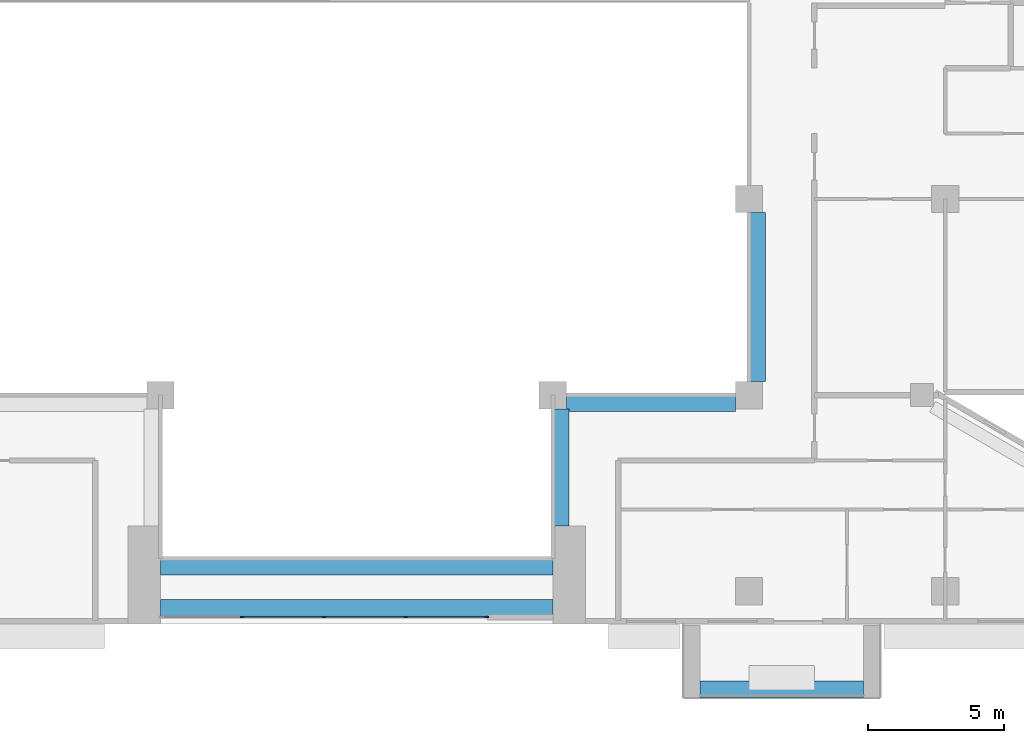
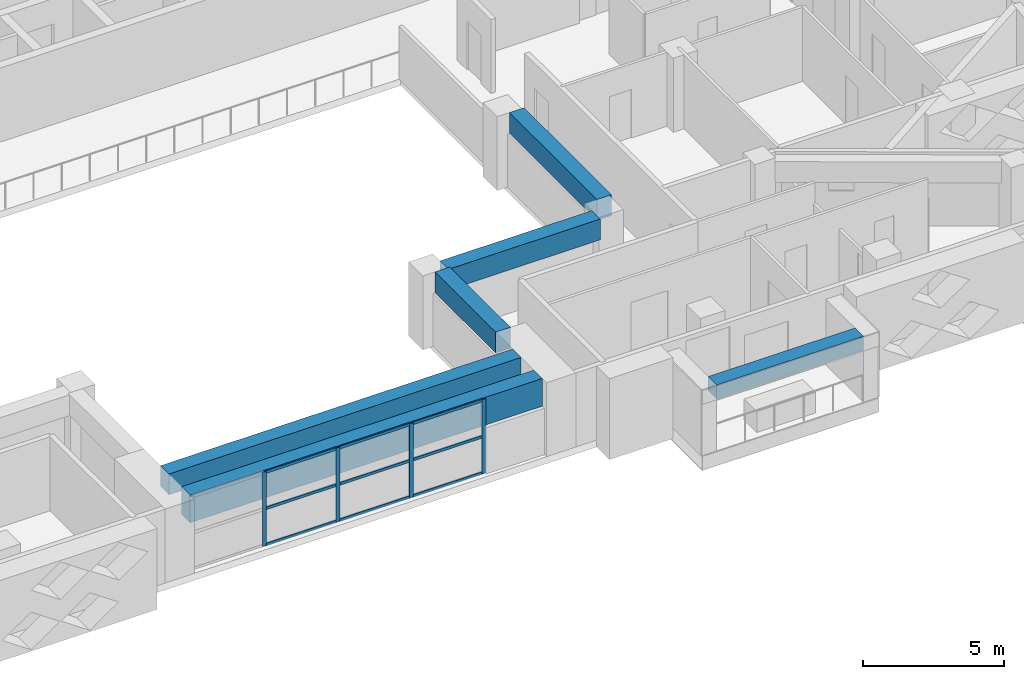
# One storey, part 4 of 20: 13 members, 6 beams, 1 element without a shape of its own.
"""IFC4 building model written with IfcOpenShell, lengths in metres."""

import ifcopenshell
import ifcopenshell.guid

model = None  # the IFC model being written
_history = None  # IfcOwnerHistory: only IFC2X3 demands one
_inside = {}  # id of a spatial element -> (the spatial element, [elements in it])
_under = {}  # id of a project, library or spatial element -> (it, [spatial elements below it])
_declared = {}  # id of a project -> (the project, [libraries it declares])
_typed = {}  # id of a type object -> (the type object, [elements of that type])
_made_of = {}  # id of a material, layer set ... -> (it, [elements and type objects made of it])


def new_model(schema):
    """Start an empty IFC model of exactly this schema.

    Asked for "IFC4X3", IfcOpenShell would pick the latest addendum, in which some entities
    have other attributes; the version numbers below select the first issue.
    IFC2X3 requires an IfcOwnerHistory on every rooted entity: one is made here for all.
    """
    global model, _history
    if schema == "IFC4X3":
        model = ifcopenshell.file(schema_version=(4, 3, 0, 0))
    else:
        model = ifcopenshell.file(schema=schema)
    _inside.clear()
    _under.clear()
    _declared.clear()
    _typed.clear()
    _made_of.clear()
    _history = None
    if model.schema == "IFC2X3":
        org = make("IfcOrganization", Name="unknown")
        user = make(
            "IfcPersonAndOrganization",
            ThePerson=make("IfcPerson", FamilyName="unknown"),
            TheOrganization=org,
        )
        app = make(
            "IfcApplication",
            ApplicationDeveloper=org,
            Version="unknown",
            ApplicationFullName="unknown",
            ApplicationIdentifier="unknown",
        )
        _history = make(
            "IfcOwnerHistory",
            OwningUser=user,
            OwningApplication=app,
            ChangeAction="ADDED",
            CreationDate=0,
        )
    return model


def make(cls, **values):
    """One entity of the class cls with the attributes given. An attribute that is None is left unset."""
    return model.create_entity(
        cls, **{name: value for name, value in values.items() if value is not None}
    )


def rooted(cls, **values):
    """An entity with a GlobalId (a new one), such as an element, a storey or a relation."""
    return make(cls, GlobalId=ifcopenshell.guid.new(), OwnerHistory=_history, **values)


def si_unit(unit_type, name, prefix=None):
    """IfcSIUnit, for example si_unit("LENGTHUNIT", "METRE", prefix="MILLI")."""
    return make("IfcSIUnit", UnitType=unit_type, Prefix=prefix, Name=name)


def assignment(units):
    """IfcUnitAssignment: the units of a project."""
    return None if units is None else make("IfcUnitAssignment", Units=units)


def point(xyz):
    """IfcCartesianPoint."""
    return None if xyz is None else make("IfcCartesianPoint", Coordinates=xyz)


def direction(xyz):
    """IfcDirection."""
    return None if xyz is None else make("IfcDirection", DirectionRatios=xyz)


def frame(location, z_axis=None, x_axis=None):
    """IfcAxis2Placement3D, a coordinate frame: its origin and axes. An axis left out is left unset."""
    return make(
        "IfcAxis2Placement3D",
        Location=point(location),
        Axis=direction(z_axis),
        RefDirection=direction(x_axis),
    )


def frame_2d(location, x_axis=None):
    """IfcAxis2Placement2D, a coordinate frame in the plane: its origin and x axis."""
    return make(
        "IfcAxis2Placement2D", Location=point(location), RefDirection=direction(x_axis)
    )


def origin():
    """The frame at (0, 0, 0) with its axes left unset."""
    return frame((0.0, 0.0, 0.0))


def origin_2d():
    """The frame at (0, 0) in the plane with its x axis left unset."""
    return frame_2d((0.0, 0.0))


def place(relative_to, where):
    """IfcLocalPlacement: puts the frame where relative to a parent placement (None: the world)."""
    return make(
        "IfcLocalPlacement", PlacementRelTo=relative_to, RelativePlacement=where
    )


def context(
    kind, dimensions, precision=None, world=None, true_north=None, identifier=None
):
    """IfcGeometricRepresentationContext, for example the 3D "Model" context."""
    return make(
        "IfcGeometricRepresentationContext",
        ContextIdentifier=identifier,
        ContextType=kind,
        CoordinateSpaceDimension=dimensions,
        Precision=precision,
        WorldCoordinateSystem=world,
        TrueNorth=true_north,
    )


def subcontext(parent, identifier, kind, view, scale=None):
    """IfcGeometricRepresentationSubContext, for example "Body" below "Model"."""
    return make(
        "IfcGeometricRepresentationSubContext",
        ContextIdentifier=identifier,
        ContextType=kind,
        ParentContext=parent,
        TargetScale=scale,
        TargetView=view,
    )


def project(units=None, contexts=None):
    """IfcProject with its units and contexts."""
    return rooted(
        "IfcProject",
        Name="project",
        RepresentationContexts=contexts,
        UnitsInContext=assignment(units),
    )


def spatial(cls, under=None, at=None, **own):
    """A site, building, storey or space (cls), placed at a placement, below another one or the project."""
    s = rooted(cls, ObjectPlacement=at, **own)
    if under is not None:
        _under.setdefault(under.id(), (under, []))[1].append(s)
    return s


def profile(cls, at=None, kind="AREA", **sizes):
    """A parametric profile (cls). Its sizes go by their IFC names, for example OverallWidth=200.0."""
    return make(cls, ProfileType=kind, Position=at, **sizes)


def rectangle(**sizes):
    """IfcRectangleProfileDef."""
    return profile("IfcRectangleProfileDef", **sizes)


def extrude(swept, where, along, depth):
    """IfcExtrudedAreaSolid: the profile swept, set in the frame where, extruded along a direction by depth."""
    return make(
        "IfcExtrudedAreaSolid",
        SweptArea=swept,
        Position=where,
        ExtrudedDirection=direction(along),
        Depth=depth,
    )


def shape(context_of_items, identifier, shape_type, items):
    """IfcShapeRepresentation: the items that make up one representation, for example the "Body"."""
    return make(
        "IfcShapeRepresentation",
        ContextOfItems=context_of_items,
        RepresentationIdentifier=identifier,
        RepresentationType=shape_type,
        Items=items,
    )


def source(mapping_origin, context_of_items, identifier, shape_type, items):
    """IfcRepresentationMap: a shape defined once, which mapped items show again and again."""
    return make(
        "IfcRepresentationMap",
        MappingOrigin=mapping_origin,
        MappedRepresentation=shape(context_of_items, identifier, shape_type, items),
    )


def transform(
    local_origin,
    x_axis=None,
    y_axis=None,
    z_axis=None,
    scale=None,
    scale2=None,
    scale3=None,
    uniform=True,
):
    """IfcCartesianTransformationOperator3D, or its non-uniform kind. x_axis, y_axis, z_axis: its Axis1, 2, 3."""
    if uniform:
        return make(
            "IfcCartesianTransformationOperator3D",
            Axis1=direction(x_axis),
            Axis2=direction(y_axis),
            LocalOrigin=point(local_origin),
            Scale=scale,
            Axis3=direction(z_axis),
        )
    return make(
        "IfcCartesianTransformationOperator3DnonUniform",
        Axis1=direction(x_axis),
        Axis2=direction(y_axis),
        LocalOrigin=point(local_origin),
        Scale=scale,
        Axis3=direction(z_axis),
        Scale2=scale2,
        Scale3=scale3,
    )


def mapped(mapping_source, mapping_target):
    """IfcMappedItem: shows the shape of a source again, moved by a transform."""
    return make(
        "IfcMappedItem", MappingSource=mapping_source, MappingTarget=mapping_target
    )


def material(Name=None, Category=None):
    """IfcMaterial."""
    return make("IfcMaterial", Name=Name, Category=Category)


def layer(
    of_material, thickness, ventilated=None, Name=None, Category=None, Priority=None
):
    """IfcMaterialLayer: one layer of a wall or slab, of a material (None: an air gap)."""
    return make(
        "IfcMaterialLayer",
        Material=of_material,
        LayerThickness=thickness,
        IsVentilated=ventilated,
        Name=Name,
        Category=Category,
        Priority=Priority,
    )


def layer_set(layers, Name=None):
    """IfcMaterialLayerSet."""
    return make("IfcMaterialLayerSet", MaterialLayers=layers, LayerSetName=Name)


def material_profile(
    of_material, cross_section, Name=None, Category=None, Priority=None
):
    """IfcMaterialProfile: a cross section and its material."""
    return make(
        "IfcMaterialProfile",
        Name=Name,
        Material=of_material,
        Profile=cross_section,
        Priority=Priority,
        Category=Category,
    )


def profile_set(profiles, Name=None, composite=None):
    """IfcMaterialProfileSet."""
    return make(
        "IfcMaterialProfileSet",
        Name=Name,
        MaterialProfiles=profiles,
        CompositeProfile=composite,
    )


def made_of(thing, what):
    """Note that an element or type object is made of a material, layer set ...; save() writes the relation."""
    if what is not None:
        _made_of.setdefault(what.id(), (what, []))[1].append(thing)
    return thing


def type_object(cls, material=None, **own):
    """A type object (cls), such as IfcWallType, which elements share."""
    return made_of(rooted(cls, **own), material)


def element(
    cls,
    number,
    at=None,
    inside=None,
    cuts=None,
    type_object=None,
    material=None,
    context=None,
    identifier="Body",
    shape_type=None,
    held_by="IfcProductDefinitionShape",
    body=None,
    shapes=None,
    **own,
):
    """One element of the class cls, such as IfcWall. Its Tag is "e" and its number.

    at: its placement. inside: the storey or other place that contains it. cuts: it is an
    opening in that element (IfcRelVoidsElement). A single representation is given by context,
    identifier, shape_type and body (its items); several are given by shapes. held_by: the class
    of the entity that holds the representations. save() writes the other relations.
    """
    e = rooted(cls, Tag="e%d" % number, ObjectPlacement=at, **own)
    if body is not None:
        shapes = [shape(context, identifier, shape_type, body)]
    if shapes is not None:
        e.Representation = make(held_by, Representations=shapes)
    if inside is not None:
        _inside.setdefault(inside.id(), (inside, []))[1].append(e)
    if cuts is not None:
        rooted(
            "IfcRelVoidsElement", RelatingBuildingElement=cuts, RelatedOpeningElement=e
        )
    if type_object is not None:
        _typed.setdefault(type_object.id(), (type_object, []))[1].append(e)
    return made_of(e, material)


def aggregate(whole, parts):
    """IfcRelAggregates: a whole, such as a stair, and the parts it consists of."""
    return rooted("IfcRelAggregates", RelatingObject=whole, RelatedObjects=parts)


def save(model, path):
    """Write the relations noted so far, then the file.

    IfcRelAggregates (storeys below a building ...), IfcRelContainedInSpatialStructure (elements
    in a storey), IfcRelDefinesByType, IfcRelAssociatesMaterial and IfcRelDeclares: one each for
    every whole, place, type object, material and project.
    """
    for whole, parts in _under.values():
        aggregate(whole, parts)
    for where, things in _inside.values():
        rooted(
            "IfcRelContainedInSpatialStructure",
            RelatedElements=things,
            RelatingStructure=where,
        )
    for kind, things in _typed.values():
        rooted("IfcRelDefinesByType", RelatedObjects=things, RelatingType=kind)
    for what, things in _made_of.values():
        rooted("IfcRelAssociatesMaterial", RelatedObjects=things, RelatingMaterial=what)
    for by, libraries in _declared.values():
        rooted("IfcRelDeclares", RelatingContext=by, RelatedDefinitions=libraries)
    model.write(path)


model = new_model("IFC4")

# Units and contexts
model_context = context("Model", 3, precision=1e-05, world=origin(), true_north=direction((0.0, 1.0)))
body_context = subcontext(model_context, "Body", "Model", "MODEL_VIEW")
ifc_project = project(units=[si_unit("LENGTHUNIT", "METRE"), si_unit("AREAUNIT", "SQUARE_METRE"), si_unit("VOLUMEUNIT", "CUBIC_METRE"), si_unit("PLANEANGLEUNIT", "RADIAN"), si_unit("MASSUNIT", "GRAM", prefix="KILO")], contexts=[model_context])

# Site, building, storey
site_placement = place(None, origin())
site = spatial("IfcSite", under=ifc_project, at=site_placement, CompositionType="ELEMENT")
building_placement = place(site_placement, origin())
building = spatial("IfcBuilding", under=site, at=building_placement, Name="Saffron Iwan Residences", CompositionType="ELEMENT")
storey_placement = place(building_placement, frame((0.0, 0.0, 157.0)))
storey = spatial("IfcBuildingStorey", under=building, at=storey_placement, Name="L41", CompositionType="ELEMENT", Elevation=157.0)

# Beams
ifc_material_1 = material(Name="Concrete C50/60", Category="concrete")
ifc_material_profile_1 = material_profile(ifc_material_1, rectangle(XDim=0.60009765625, YDim=1.199951171875, at=origin_2d()), Name="RC 600x1200")
ifc_profile_set_1 = profile_set([ifc_material_profile_1], Name="Concrete C50/60")
beam_type_1 = type_object("IfcBeamType", Name="LINTEL BEAM RC 600x1200 C50/60 TOP 3200", PredefinedType="LINTEL", material=ifc_profile_set_1)
shared_shape_1 = source(origin(), body_context, "Body", "SweptSolid", [
    extrude(rectangle(XDim=0.60009765625, YDim=1.199951171875, at=origin_2d()), origin(), (0.0, 0.0, 1.0), 14.400146484375),
])
beam_1_placement = place(storey_placement, frame((57.60009765625, 40.199951171875, 2.60009765625), z_axis=(-1.0, 0.0, 0.0), x_axis=(0.0, -1.0, 0.0)))
element("IfcBeam", 1, at=beam_1_placement, inside=storey, type_object=beam_type_1, Name="Lintel beam over the iwan", PredefinedType="LINTEL", context=body_context, shape_type="MappedRepresentation", body=[
    mapped(shared_shape_1, transform((0.0, 0.0, 0.0))),
])
ifc_material_profile_2 = material_profile(ifc_material_1, rectangle(XDim=0.60009765625, YDim=0.89990234375, at=origin_2d()), Name="RC 600x900")
ifc_profile_set_2 = profile_set([ifc_material_profile_2], Name="Concrete C50/60")
beam_type_2 = type_object("IfcBeamType", Name="BEAM RC 600x900 C50/60 TOP 3200", PredefinedType="BEAM", material=ifc_profile_set_2)
shared_shape_2 = source(origin(), body_context, "Body", "SweptSolid", [
    extrude(rectangle(XDim=0.60009765625, YDim=0.89990234375, at=origin_2d()), origin(), (0.0, 0.0, 1.0), 14.400146484375),
])
beam_2_placement = place(storey_placement, frame((57.60009765625, 41.699951171875, 2.75), z_axis=(-1.0, 0.0, 0.0), x_axis=(0.0, -1.0, 0.0)))
element("IfcBeam", 2, at=beam_2_placement, inside=storey, type_object=beam_type_2, Name="Atrium edge beam", PredefinedType="BEAM", context=body_context, shape_type="MappedRepresentation", body=[
    mapped(shared_shape_2, transform((0.0, 0.0, 0.0))),
])
shared_shape_3 = source(origin(), body_context, "Body", "SweptSolid", [
    extrude(rectangle(XDim=0.60009765625, YDim=0.89990234375, at=origin_2d()), origin(), (0.0, 0.0, 1.0), 4.300048828125),
])
beam_3_placement = place(storey_placement, frame((57.89990234375, 47.5, 2.75), z_axis=(0.0, -1.0, 0.0), x_axis=(1.0, 0.0, 0.0)))
element("IfcBeam", 3, at=beam_3_placement, inside=storey, type_object=beam_type_2, Name="Atrium edge beam", PredefinedType="BEAM", context=body_context, shape_type="MappedRepresentation", body=[
    mapped(shared_shape_3, transform((0.0, 0.0, 0.0))),
])
shared_shape_4 = source(origin(), body_context, "Body", "SweptSolid", [
    extrude(rectangle(XDim=0.60009765625, YDim=0.89990234375, at=origin_2d()), origin(), (0.0, 0.0, 1.0), 6.199951171875),
])
for number, where, z_axis, x_axis, name in (
    (4, (64.300048828125, 47.699951171875, 2.75), (-1.0, 0.0, 0.0), (0.0, -1.0, 0.0), "Atrium edge beam"),
    (5, (65.10009765625, 54.699951171875, 2.75), (0.0, -1.0, 0.0), (1.0, 0.0, 0.0), "Atrium edge beam"),
):
    element("IfcBeam", number, at=place(storey_placement, frame(where, z_axis=z_axis, x_axis=x_axis)), inside=storey, type_object=beam_type_2, Name=name, PredefinedType="BEAM", context=body_context, shape_type="MappedRepresentation", body=[
        mapped(shared_shape_4, transform((0.0, 0.0, 0.0))),
    ])

# Curtain wall, members
ifc_material_2 = material(Name="Clear glass, laminated double glazed", Category="glass")
ifc_layer = layer(ifc_material_2, 0.199951171875)
ifc_layer_set = layer_set([ifc_layer], Name="Clear glass, laminated double glazed")
curtain_wall_type = type_object("IfcCurtainWallType", Name="CW-B IWAN PORTAL", PredefinedType="NOTDEFINED", material=ifc_layer_set)
curtain_wall_placement = place(storey_placement, origin())
curtain_wall = element("IfcCurtainWall", 6, at=curtain_wall_placement, inside=storey, type_object=curtain_wall_type, Name="Iwan portal glazing L41.1", PredefinedType="NOTDEFINED")
ifc_material_3 = material(Name="Aluminium 6063-T6", Category="aluminium")
ifc_material_profile_3 = material_profile(ifc_material_3, rectangle(XDim=0.06005859375, YDim=0.1201171875, at=origin_2d()), Name="CW-B TRANSOM 60 x 120")
ifc_profile_set_3 = profile_set([ifc_material_profile_3], Name="Aluminium 6063-T6")
member_type_1 = type_object("IfcMemberType", Name="CW-B TRANSOM 60 x 120", PredefinedType="USERDEFINED", material=ifc_profile_set_3)
shared_shape_5 = source(origin(), body_context, "Body", "SweptSolid", [
    extrude(rectangle(XDim=0.06005859375, YDim=0.1201171875, at=origin_2d()), origin(), (0.0, 0.0, 1.0), 2.909912109375),
])
member_1_placement = place(storey_placement, frame((52.22998046875, 39.85009765625, 0.030029296875), z_axis=(1.0, 0.0, 0.0), x_axis=(0.0, 1.0, 0.0)))
member_1 = element("IfcMember", 7, at=member_1_placement, type_object=member_type_1, Name="CW-B transom 4.1", ObjectType="TRANSOM", PredefinedType="USERDEFINED", context=body_context, shape_type="MappedRepresentation", body=[
    mapped(shared_shape_5, transform((0.0, 0.0, 0.0))),
])
member_2_placement = place(storey_placement, frame((52.22998046875, 39.85009765625, 1.60009765625), z_axis=(1.0, 0.0, 0.0), x_axis=(0.0, 1.0, 0.0)))
member_2 = element("IfcMember", 8, at=member_2_placement, type_object=member_type_1, Name="CW-B transom 4.2", ObjectType="TRANSOM", PredefinedType="USERDEFINED", context=body_context, shape_type="MappedRepresentation", body=[
    mapped(shared_shape_5, transform((0.0, 0.0, 0.0))),
])
member_3_placement = place(storey_placement, frame((52.22998046875, 39.85009765625, 3.169921875), z_axis=(1.0, 0.0, 0.0), x_axis=(0.0, 1.0, 0.0)))
member_3 = element("IfcMember", 9, at=member_3_placement, type_object=member_type_1, Name="CW-B transom 4.3", ObjectType="TRANSOM", PredefinedType="USERDEFINED", context=body_context, shape_type="MappedRepresentation", body=[
    mapped(shared_shape_5, transform((0.0, 0.0, 0.0))),
])
shared_shape_6 = source(origin(), body_context, "Body", "SweptSolid", [
    extrude(rectangle(XDim=0.06005859375, YDim=0.1201171875, at=origin_2d()), origin(), (0.0, 0.0, 1.0), 2.93994140625),
])
member_4_placement = place(storey_placement, frame((46.22998046875, 39.85009765625, 0.030029296875), z_axis=(1.0, 0.0, 0.0), x_axis=(0.0, 1.0, 0.0)))
member_4 = element("IfcMember", 10, at=member_4_placement, type_object=member_type_1, Name="CW-B transom 2.1", ObjectType="TRANSOM", PredefinedType="USERDEFINED", context=body_context, shape_type="MappedRepresentation", body=[
    mapped(shared_shape_6, transform((0.0, 0.0, 0.0))),
])
member_5_placement = place(storey_placement, frame((46.22998046875, 39.85009765625, 1.60009765625), z_axis=(1.0, 0.0, 0.0), x_axis=(0.0, 1.0, 0.0)))
member_5 = element("IfcMember", 11, at=member_5_placement, type_object=member_type_1, Name="CW-B transom 2.2", ObjectType="TRANSOM", PredefinedType="USERDEFINED", context=body_context, shape_type="MappedRepresentation", body=[
    mapped(shared_shape_6, transform((0.0, 0.0, 0.0))),
])
member_6_placement = place(storey_placement, frame((46.22998046875, 39.85009765625, 3.169921875), z_axis=(1.0, 0.0, 0.0), x_axis=(0.0, 1.0, 0.0)))
member_6 = element("IfcMember", 12, at=member_6_placement, type_object=member_type_1, Name="CW-B transom 2.3", ObjectType="TRANSOM", PredefinedType="USERDEFINED", context=body_context, shape_type="MappedRepresentation", body=[
    mapped(shared_shape_6, transform((0.0, 0.0, 0.0))),
])
member_7_placement = place(storey_placement, frame((49.22998046875, 39.85009765625, 0.030029296875), z_axis=(1.0, 0.0, 0.0), x_axis=(0.0, 1.0, 0.0)))
member_7 = element("IfcMember", 13, at=member_7_placement, type_object=member_type_1, Name="CW-B transom 3.1", ObjectType="TRANSOM", PredefinedType="USERDEFINED", context=body_context, shape_type="MappedRepresentation", body=[
    mapped(shared_shape_6, transform((0.0, 0.0, 0.0))),
])
member_8_placement = place(storey_placement, frame((49.22998046875, 39.85009765625, 1.60009765625), z_axis=(1.0, 0.0, 0.0), x_axis=(0.0, 1.0, 0.0)))
member_8 = element("IfcMember", 14, at=member_8_placement, type_object=member_type_1, Name="CW-B transom 3.2", ObjectType="TRANSOM", PredefinedType="USERDEFINED", context=body_context, shape_type="MappedRepresentation", body=[
    mapped(shared_shape_6, transform((0.0, 0.0, 0.0))),
])
member_9_placement = place(storey_placement, frame((49.22998046875, 39.85009765625, 3.169921875), z_axis=(1.0, 0.0, 0.0), x_axis=(0.0, 1.0, 0.0)))
member_9 = element("IfcMember", 15, at=member_9_placement, type_object=member_type_1, Name="CW-B transom 3.3", ObjectType="TRANSOM", PredefinedType="USERDEFINED", context=body_context, shape_type="MappedRepresentation", body=[
    mapped(shared_shape_6, transform((0.0, 0.0, 0.0))),
])

# Beam
ifc_material_4 = material(Name="Concrete C50/60 white painted", Category="concrete")
ifc_material_profile_4 = material_profile(ifc_material_4, rectangle(XDim=0.60009765625, YDim=0.60009765625, at=origin_2d()), Name="BALCONY FASCIA BEAM 600 x 600")
ifc_profile_set_4 = profile_set([ifc_material_profile_4], Name="Concrete C50/60 white painted")
beam_type_3 = type_object("IfcBeamType", Name="BALCONY FASCIA BEAM 600 x 600", PredefinedType="BEAM", material=ifc_profile_set_4)
shared_shape_7 = source(origin(), body_context, "Body", "SweptSolid", [
    extrude(rectangle(XDim=0.60009765625, YDim=0.60009765625, at=origin_2d()), origin(), (0.0, 0.0, 1.0), 6.0),
])
beam_4_placement = place(storey_placement, frame((63.0, 37.199951171875, 2.550048828125), z_axis=(1.0, 0.0, 0.0), x_axis=(0.0, 1.0, 0.0)))
element("IfcBeam", 16, at=beam_4_placement, inside=storey, type_object=beam_type_3, Name="Balcony fascia beam L41 11-2", PredefinedType="BEAM", context=body_context, shape_type="MappedRepresentation", body=[
    mapped(shared_shape_7, transform((0.0, 0.0, 0.0))),
])

# Member
ifc_material_profile_5 = material_profile(ifc_material_3, rectangle(XDim=0.06005859375, YDim=0.159912109375, at=origin_2d()), Name="CW-B MULLION 60 x 160")
ifc_profile_set_5 = profile_set([ifc_material_profile_5], Name="Aluminium 6063-T6")
member_type_2 = type_object("IfcMemberType", Name="CW-B MULLION 60 x 160", PredefinedType="MULLION", material=ifc_profile_set_5)
shared_shape_8 = source(origin(), body_context, "Body", "SweptSolid", [
    extrude(rectangle(XDim=0.06005859375, YDim=0.159912109375, at=origin_2d()), origin(), (0.0, 0.0, 1.0), 3.199951171875),
])
member_10_placement = place(storey_placement, frame((46.199951171875, 39.85009765625, 0.0), z_axis=(0.0, 0.0, 1.0), x_axis=(0.0, 1.0, 0.0)))
member_10 = element("IfcMember", 17, at=member_10_placement, type_object=member_type_2, Name="CW-B mullion 2", PredefinedType="MULLION", context=body_context, shape_type="MappedRepresentation", body=[
    mapped(shared_shape_8, transform((0.0, 0.0, 0.0))),
])

member_11_placement = place(storey_placement, frame((49.199951171875, 39.85009765625, 0.0), z_axis=(0.0, 0.0, 1.0), x_axis=(0.0, 1.0, 0.0)))
member_11 = element("IfcMember", 18, at=member_11_placement, type_object=member_type_2, Name="CW-B mullion 3", PredefinedType="MULLION", context=body_context, shape_type="MappedRepresentation", body=[
    mapped(shared_shape_8, transform((0.0, 0.0, 0.0))),
])

member_12_placement = place(storey_placement, frame((52.199951171875, 39.85009765625, 0.0), z_axis=(0.0, 0.0, 1.0), x_axis=(0.0, 1.0, 0.0)))
member_12 = element("IfcMember", 19, at=member_12_placement, type_object=member_type_2, Name="CW-B mullion 4", PredefinedType="MULLION", context=body_context, shape_type="MappedRepresentation", body=[
    mapped(shared_shape_8, transform((0.0, 0.0, 0.0))),
])

member_13_placement = place(storey_placement, frame((55.169921875, 39.85009765625, 0.0), z_axis=(0.0, 0.0, 1.0), x_axis=(0.0, 1.0, 0.0)))
member_13 = element("IfcMember", 20, at=member_13_placement, type_object=member_type_2, Name="CW-B mullion 5", PredefinedType="MULLION", context=body_context, shape_type="MappedRepresentation", body=[
    mapped(shared_shape_8, transform((0.0, 0.0, 0.0))),
])

aggregate(curtain_wall, [member_10, member_11, member_12, member_13, member_4, member_5, member_6, member_7, member_8, member_9, member_1, member_2, member_3])

save(model, "model.ifc")
